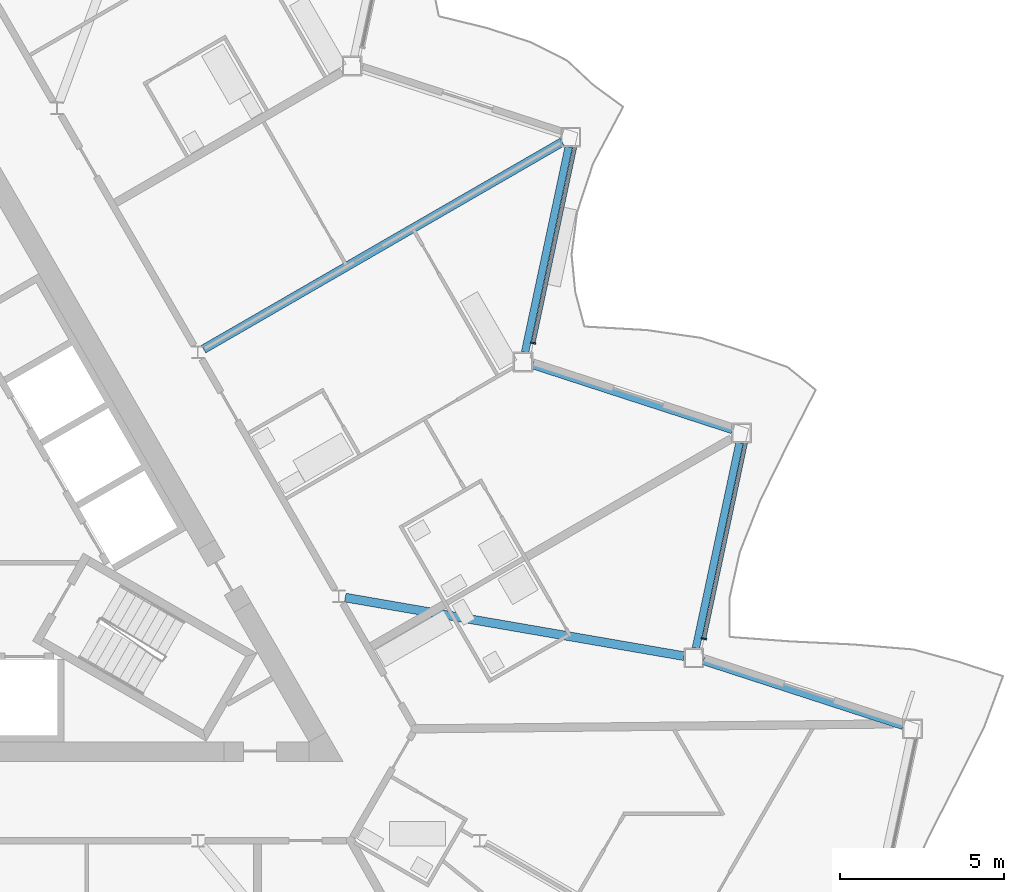
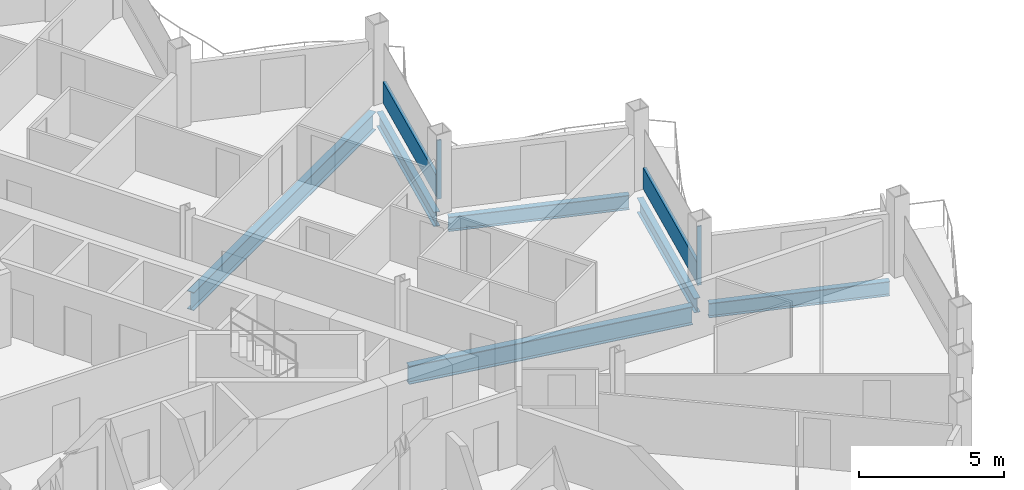
# One storey, part 9 of 27: 6 beams, 4 members, 2 elements without a shape of their own.
"""IFC4 building model written with IfcOpenShell, lengths in metres."""

import ifcopenshell
import ifcopenshell.guid

model = None  # the IFC model being written
_history = None  # IfcOwnerHistory: only IFC2X3 demands one
_inside = {}  # id of a spatial element -> (the spatial element, [elements in it])
_under = {}  # id of a project, library or spatial element -> (it, [spatial elements below it])
_declared = {}  # id of a project -> (the project, [libraries it declares])
_typed = {}  # id of a type object -> (the type object, [elements of that type])
_made_of = {}  # id of a material, layer set ... -> (it, [elements and type objects made of it])


def new_model(schema):
    """Start an empty IFC model of exactly this schema.

    Asked for "IFC4X3", IfcOpenShell would pick the latest addendum, in which some entities
    have other attributes; the version numbers below select the first issue.
    IFC2X3 requires an IfcOwnerHistory on every rooted entity: one is made here for all.
    """
    global model, _history
    if schema == "IFC4X3":
        model = ifcopenshell.file(schema_version=(4, 3, 0, 0))
    else:
        model = ifcopenshell.file(schema=schema)
    _inside.clear()
    _under.clear()
    _declared.clear()
    _typed.clear()
    _made_of.clear()
    _history = None
    if model.schema == "IFC2X3":
        org = make("IfcOrganization", Name="unknown")
        user = make(
            "IfcPersonAndOrganization",
            ThePerson=make("IfcPerson", FamilyName="unknown"),
            TheOrganization=org,
        )
        app = make(
            "IfcApplication",
            ApplicationDeveloper=org,
            Version="unknown",
            ApplicationFullName="unknown",
            ApplicationIdentifier="unknown",
        )
        _history = make(
            "IfcOwnerHistory",
            OwningUser=user,
            OwningApplication=app,
            ChangeAction="ADDED",
            CreationDate=0,
        )
    return model


def make(cls, **values):
    """One entity of the class cls with the attributes given. An attribute that is None is left unset."""
    return model.create_entity(
        cls, **{name: value for name, value in values.items() if value is not None}
    )


def rooted(cls, **values):
    """An entity with a GlobalId (a new one), such as an element, a storey or a relation."""
    return make(cls, GlobalId=ifcopenshell.guid.new(), OwnerHistory=_history, **values)


def si_unit(unit_type, name, prefix=None):
    """IfcSIUnit, for example si_unit("LENGTHUNIT", "METRE", prefix="MILLI")."""
    return make("IfcSIUnit", UnitType=unit_type, Prefix=prefix, Name=name)


def assignment(units):
    """IfcUnitAssignment: the units of a project."""
    return None if units is None else make("IfcUnitAssignment", Units=units)


def point(xyz):
    """IfcCartesianPoint."""
    return None if xyz is None else make("IfcCartesianPoint", Coordinates=xyz)


def direction(xyz):
    """IfcDirection."""
    return None if xyz is None else make("IfcDirection", DirectionRatios=xyz)


def frame(location, z_axis=None, x_axis=None):
    """IfcAxis2Placement3D, a coordinate frame: its origin and axes. An axis left out is left unset."""
    return make(
        "IfcAxis2Placement3D",
        Location=point(location),
        Axis=direction(z_axis),
        RefDirection=direction(x_axis),
    )


def frame_2d(location, x_axis=None):
    """IfcAxis2Placement2D, a coordinate frame in the plane: its origin and x axis."""
    return make(
        "IfcAxis2Placement2D", Location=point(location), RefDirection=direction(x_axis)
    )


def origin():
    """The frame at (0, 0, 0) with its axes left unset."""
    return frame((0.0, 0.0, 0.0))


def origin_2d():
    """The frame at (0, 0) in the plane with its x axis left unset."""
    return frame_2d((0.0, 0.0))


def place(relative_to, where):
    """IfcLocalPlacement: puts the frame where relative to a parent placement (None: the world)."""
    return make(
        "IfcLocalPlacement", PlacementRelTo=relative_to, RelativePlacement=where
    )


def context(
    kind, dimensions, precision=None, world=None, true_north=None, identifier=None
):
    """IfcGeometricRepresentationContext, for example the 3D "Model" context."""
    return make(
        "IfcGeometricRepresentationContext",
        ContextIdentifier=identifier,
        ContextType=kind,
        CoordinateSpaceDimension=dimensions,
        Precision=precision,
        WorldCoordinateSystem=world,
        TrueNorth=true_north,
    )


def subcontext(parent, identifier, kind, view, scale=None):
    """IfcGeometricRepresentationSubContext, for example "Body" below "Model"."""
    return make(
        "IfcGeometricRepresentationSubContext",
        ContextIdentifier=identifier,
        ContextType=kind,
        ParentContext=parent,
        TargetScale=scale,
        TargetView=view,
    )


def project(units=None, contexts=None):
    """IfcProject with its units and contexts."""
    return rooted(
        "IfcProject",
        Name="project",
        RepresentationContexts=contexts,
        UnitsInContext=assignment(units),
    )


def spatial(cls, under=None, at=None, **own):
    """A site, building, storey or space (cls), placed at a placement, below another one or the project."""
    s = rooted(cls, ObjectPlacement=at, **own)
    if under is not None:
        _under.setdefault(under.id(), (under, []))[1].append(s)
    return s


def profile(cls, at=None, kind="AREA", **sizes):
    """A parametric profile (cls). Its sizes go by their IFC names, for example OverallWidth=200.0."""
    return make(cls, ProfileType=kind, Position=at, **sizes)


def rectangle(**sizes):
    """IfcRectangleProfileDef."""
    return profile("IfcRectangleProfileDef", **sizes)


def i_section(**sizes):
    """IfcIShapeProfileDef."""
    return profile("IfcIShapeProfileDef", **sizes)


def extrude(swept, where, along, depth):
    """IfcExtrudedAreaSolid: the profile swept, set in the frame where, extruded along a direction by depth."""
    return make(
        "IfcExtrudedAreaSolid",
        SweptArea=swept,
        Position=where,
        ExtrudedDirection=direction(along),
        Depth=depth,
    )


def shape(context_of_items, identifier, shape_type, items):
    """IfcShapeRepresentation: the items that make up one representation, for example the "Body"."""
    return make(
        "IfcShapeRepresentation",
        ContextOfItems=context_of_items,
        RepresentationIdentifier=identifier,
        RepresentationType=shape_type,
        Items=items,
    )


def material(Name=None, Category=None):
    """IfcMaterial."""
    return make("IfcMaterial", Name=Name, Category=Category)


def layer(
    of_material, thickness, ventilated=None, Name=None, Category=None, Priority=None
):
    """IfcMaterialLayer: one layer of a wall or slab, of a material (None: an air gap)."""
    return make(
        "IfcMaterialLayer",
        Material=of_material,
        LayerThickness=thickness,
        IsVentilated=ventilated,
        Name=Name,
        Category=Category,
        Priority=Priority,
    )


def layer_set(layers, Name=None):
    """IfcMaterialLayerSet."""
    return make("IfcMaterialLayerSet", MaterialLayers=layers, LayerSetName=Name)


def material_profile(
    of_material, cross_section, Name=None, Category=None, Priority=None
):
    """IfcMaterialProfile: a cross section and its material."""
    return make(
        "IfcMaterialProfile",
        Name=Name,
        Material=of_material,
        Profile=cross_section,
        Priority=Priority,
        Category=Category,
    )


def profile_set(profiles, Name=None, composite=None):
    """IfcMaterialProfileSet."""
    return make(
        "IfcMaterialProfileSet",
        Name=Name,
        MaterialProfiles=profiles,
        CompositeProfile=composite,
    )


def made_of(thing, what):
    """Note that an element or type object is made of a material, layer set ...; save() writes the relation."""
    if what is not None:
        _made_of.setdefault(what.id(), (what, []))[1].append(thing)
    return thing


def type_object(cls, material=None, **own):
    """A type object (cls), such as IfcWallType, which elements share."""
    return made_of(rooted(cls, **own), material)


def element(
    cls,
    number,
    at=None,
    inside=None,
    cuts=None,
    type_object=None,
    material=None,
    context=None,
    identifier="Body",
    shape_type=None,
    held_by="IfcProductDefinitionShape",
    body=None,
    shapes=None,
    **own,
):
    """One element of the class cls, such as IfcWall. Its Tag is "e" and its number.

    at: its placement. inside: the storey or other place that contains it. cuts: it is an
    opening in that element (IfcRelVoidsElement). A single representation is given by context,
    identifier, shape_type and body (its items); several are given by shapes. held_by: the class
    of the entity that holds the representations. save() writes the other relations.
    """
    e = rooted(cls, Tag="e%d" % number, ObjectPlacement=at, **own)
    if body is not None:
        shapes = [shape(context, identifier, shape_type, body)]
    if shapes is not None:
        e.Representation = make(held_by, Representations=shapes)
    if inside is not None:
        _inside.setdefault(inside.id(), (inside, []))[1].append(e)
    if cuts is not None:
        rooted(
            "IfcRelVoidsElement", RelatingBuildingElement=cuts, RelatedOpeningElement=e
        )
    if type_object is not None:
        _typed.setdefault(type_object.id(), (type_object, []))[1].append(e)
    return made_of(e, material)


def aggregate(whole, parts):
    """IfcRelAggregates: a whole, such as a stair, and the parts it consists of."""
    return rooted("IfcRelAggregates", RelatingObject=whole, RelatedObjects=parts)


def save(model, path):
    """Write the relations noted so far, then the file.

    IfcRelAggregates (storeys below a building ...), IfcRelContainedInSpatialStructure (elements
    in a storey), IfcRelDefinesByType, IfcRelAssociatesMaterial and IfcRelDeclares: one each for
    every whole, place, type object, material and project.
    """
    for whole, parts in _under.values():
        aggregate(whole, parts)
    for where, things in _inside.values():
        rooted(
            "IfcRelContainedInSpatialStructure",
            RelatedElements=things,
            RelatingStructure=where,
        )
    for kind, things in _typed.values():
        rooted("IfcRelDefinesByType", RelatedObjects=things, RelatingType=kind)
    for what, things in _made_of.values():
        rooted("IfcRelAssociatesMaterial", RelatedObjects=things, RelatingMaterial=what)
    for by, libraries in _declared.values():
        rooted("IfcRelDeclares", RelatingContext=by, RelatedDefinitions=libraries)
    model.write(path)


model = new_model("IFC4")

# Units and contexts
model_context = context("Model", 3, precision=1e-05, world=origin(), true_north=direction((0.0, 1.0)))
body_context = subcontext(model_context, "Body", "Model", "MODEL_VIEW")
ifc_project = project(units=[si_unit("LENGTHUNIT", "METRE"), si_unit("AREAUNIT", "SQUARE_METRE"), si_unit("VOLUMEUNIT", "CUBIC_METRE"), si_unit("PLANEANGLEUNIT", "RADIAN"), si_unit("MASSUNIT", "GRAM", prefix="KILO")], contexts=[model_context])

# Site, building, storey
site_placement = place(None, origin())
site = spatial("IfcSite", under=ifc_project, at=site_placement, CompositionType="ELEMENT")
building_placement = place(site_placement, origin())
building = spatial("IfcBuilding", under=site, at=building_placement, Name="Cormorant Prow Tower", CompositionType="ELEMENT")
storey_placement = place(building_placement, frame((0.0, 0.0, 332.39990234375)))
storey = spatial("IfcBuildingStorey", under=building, at=storey_placement, Name="L74", CompositionType="ELEMENT", Elevation=332.39990234375)

# Beams
ifc_material_1 = material(Name="Structural steel ASTM A992 Gr 50", Category="steel")
ifc_material_profile_1 = material_profile(ifc_material_1, i_section(OverallWidth=0.267822265625, OverallDepth=0.77001953125, WebThickness=0.015625, FlangeThickness=0.025390625, at=origin_2d()), Name="W30x132")
ifc_profile_set_1 = profile_set([ifc_material_profile_1], Name="Structural steel ASTM A992 Gr 50")
beam_type_1 = type_object("IfcBeamType", Name="Radial floor beam W30x132", PredefinedType="BEAM", material=ifc_profile_set_1)
beam_1_placement = place(storey_placement, frame((13.0625, -2.510009765625, -0.684814453125), z_axis=(0.985379592304, -0.170373293304, 0.0), x_axis=(0.170373293304, 0.985379592304, 0.0)))
element("IfcBeam", 1, at=beam_1_placement, inside=storey, type_object=beam_type_1, Name="Radial floor beam FB3 10 L74", PredefinedType="BEAM", context=body_context, shape_type="SweptSolid", body=[
    extrude(i_section(OverallWidth=0.267822265625, OverallDepth=0.77001953125, WebThickness=0.015625, FlangeThickness=0.025390625, at=origin_2d()), origin(), (0.0, 0.0, 1.0), 10.465087890625),
])
beam_2_placement = place(storey_placement, frame((8.749755859375, 5.051513671875, -0.684814453125), z_axis=(0.866021086443, 0.50000747778, 0.0), x_axis=(-0.50000747778, 0.866021086443, 0.0)))
element("IfcBeam", 2, at=beam_2_placement, inside=storey, type_object=beam_type_1, Name="Radial floor beam FB3 11 L74", PredefinedType="BEAM", context=body_context, shape_type="SweptSolid", body=[
    extrude(i_section(OverallWidth=0.267822265625, OverallDepth=0.77001953125, WebThickness=0.015625, FlangeThickness=0.025390625, at=origin_2d()), origin(), (0.0, 0.0, 1.0), 12.604736328125),
])

# Curtain wall, member
ifc_material_2 = material(Name="Aluminium 6063-T6", Category="aluminium")
ifc_layer = layer(ifc_material_2, 0.159912109375)
ifc_layer_set = layer_set([ifc_layer], Name="Aluminium 6063-T6")
curtain_wall_type = type_object("IfcCurtainWallType", Name="Residential unitised curtain wall 160", PredefinedType="NOTDEFINED", material=ifc_layer_set)
curtain_wall_1_placement = place(storey_placement, origin())
curtain_wall_1 = element("IfcCurtainWall", 3, at=curtain_wall_1_placement, inside=storey, type_object=curtain_wall_type, Name="Residential curtain wall ENE02", PredefinedType="NOTDEFINED")
ifc_material_3 = material(Name="Aluminium 6063-T6", Category="aluminium")
ifc_material_profile_2 = material_profile(ifc_material_3, rectangle(XDim=0.159912109375, YDim=0.050048828125, at=origin_2d()), Name="Residential mullion 50x160")
ifc_profile_set_2 = profile_set([ifc_material_profile_2], Name="Aluminium 6063-T6")
member_type_1 = type_object("IfcMemberType", Name="Residential mullion 50x160", PredefinedType="MULLION", material=ifc_profile_set_2)
member_1_placement = place(storey_placement, frame((23.978759765625, -3.762451171875, 0.0), z_axis=(0.0, 0.0, 1.0), x_axis=(-0.978147592438, 0.207911729844, 0.0)))
member_1 = element("IfcMember", 4, at=member_1_placement, type_object=member_type_1, Name="Residential mullion ENE02", PredefinedType="MULLION", context=body_context, shape_type="SweptSolid", body=[
    extrude(rectangle(XDim=0.159912109375, YDim=0.050048828125, at=origin_2d()), origin(), (0.0, 0.0, 1.0), 2.488037109375),
])

curtain_wall_2_placement = place(storey_placement, origin())
curtain_wall_2 = element("IfcCurtainWall", 5, at=curtain_wall_2_placement, inside=storey, type_object=curtain_wall_type, Name="Residential curtain wall ENE04", PredefinedType="NOTDEFINED")
member_2_placement = place(storey_placement, frame((18.782470703125, 5.23779296875, 0.0), z_axis=(0.0, 0.0, 1.0), x_axis=(-0.978147592438, 0.207911729844, 0.0)))
member_2 = element("IfcMember", 6, at=member_2_placement, type_object=member_type_1, Name="Residential mullion ENE04", PredefinedType="MULLION", context=body_context, shape_type="SweptSolid", body=[
    extrude(rectangle(XDim=0.159912109375, YDim=0.050048828125, at=origin_2d()), origin(), (0.0, 0.0, 1.0), 2.488037109375),
])

# Member
ifc_material_4 = material(Name="Terracotta", Category="masonry")
ifc_material_profile_3 = material_profile(ifc_material_4, rectangle(XDim=0.1201171875, YDim=0.89990234375, at=origin_2d()), Name="Residential terracotta spandrel rail 120x900")
ifc_profile_set_3 = profile_set([ifc_material_profile_3], Name="Terracotta")
member_type_2 = type_object("IfcMemberType", Name="Residential terracotta spandrel rail 120x900", PredefinedType="USERDEFINED", material=ifc_profile_set_3)
member_3_placement = place(storey_placement, frame((23.98388671875, -3.738037109375, 0.4501953125), z_axis=(0.207912112226, 0.978147511161, 0.0), x_axis=(-0.978147511161, 0.207912112226, 0.0)))
member_3 = element("IfcMember", 7, at=member_3_placement, type_object=member_type_2, Name="Residential spandrel rail ENE02", ObjectType="TRANSOM", PredefinedType="USERDEFINED", context=body_context, shape_type="SweptSolid", body=[
    extrude(rectangle(XDim=0.1201171875, YDim=0.89990234375, at=origin_2d()), origin(), (0.0, 0.0, 1.0), 6.074462890625),
])

aggregate(curtain_wall_1, [member_1, member_3])

member_4_placement = place(storey_placement, frame((18.78759765625, 5.26220703125, 0.4501953125), z_axis=(0.207912112226, 0.978147511161, 0.0), x_axis=(-0.978147511161, 0.207912112226, 0.0)))
member_4 = element("IfcMember", 8, at=member_4_placement, type_object=member_type_2, Name="Residential spandrel rail ENE04", ObjectType="TRANSOM", PredefinedType="USERDEFINED", context=body_context, shape_type="SweptSolid", body=[
    extrude(rectangle(XDim=0.1201171875, YDim=0.89990234375, at=origin_2d()), origin(), (0.0, 0.0, 1.0), 6.074462890625),
])

aggregate(curtain_wall_2, [member_2, member_4])

# Beams
ifc_material_5 = material(Name="Structural steel ASTM A992 Gr 50", Category="steel")
ifc_material_profile_4 = material_profile(ifc_material_5, i_section(OverallWidth=0.22900390625, OverallDepth=0.612060546875, WebThickness=0.011962890625, FlangeThickness=0.01953125, at=origin_2d()), Name="W24x84")
ifc_profile_set_4 = profile_set([ifc_material_profile_4], Name="Structural steel ASTM A992 Gr 50")
beam_type_2 = type_object("IfcBeamType", Name="Spandrel beam W24x84", PredefinedType="SPANDREL", material=ifc_profile_set_4)
beam_3_placement = place(storey_placement, frame((30.038330078125, -6.413330078125, -0.60595703125), z_axis=(-0.951064359156, 0.308992855489, 0.0), x_axis=(-0.308992855489, -0.951064359156, 0.0)))
element("IfcBeam", 9, at=beam_3_placement, inside=storey, type_object=beam_type_2, Name="Spandrel beam SB3 ENE01-ENE02 L74", PredefinedType="SPANDREL", context=body_context, shape_type="SweptSolid", body=[
    extrude(i_section(OverallWidth=0.22900390625, OverallDepth=0.612060546875, WebThickness=0.011962890625, FlangeThickness=0.01953125, at=origin_2d()), origin(), (0.0, 0.0, 1.0), 6.39599609375),
])
beam_4_placement = place(storey_placement, frame((23.732421875, -4.05078125, -0.60595703125), z_axis=(0.20791262393, 0.978147402394, 0.0), x_axis=(-0.978147402394, 0.20791262393, 0.0)))
element("IfcBeam", 10, at=beam_4_placement, inside=storey, type_object=beam_type_2, Name="Spandrel beam SB3 ENE02-ENE03 L74", PredefinedType="SPANDREL", context=body_context, shape_type="SweptSolid", body=[
    extrude(i_section(OverallWidth=0.22900390625, OverallDepth=0.612060546875, WebThickness=0.011962890625, FlangeThickness=0.01953125, at=origin_2d()), origin(), (0.0, 0.0, 1.0), 6.396240234375),
])
beam_5_placement = place(storey_placement, frame((24.83935546875, 2.591796875, -0.60595703125), z_axis=(-0.951064359156, 0.308992855489, 0.0), x_axis=(-0.308992855489, -0.951064359156, 0.0)))
element("IfcBeam", 11, at=beam_5_placement, inside=storey, type_object=beam_type_2, Name="Spandrel beam SB3 ENE03-ENE04 L74", PredefinedType="SPANDREL", context=body_context, shape_type="SweptSolid", body=[
    extrude(i_section(OverallWidth=0.22900390625, OverallDepth=0.612060546875, WebThickness=0.011962890625, FlangeThickness=0.01953125, at=origin_2d()), origin(), (0.0, 0.0, 1.0), 6.39599609375),
])
beam_6_placement = place(storey_placement, frame((18.533447265625, 4.954345703125, -0.60595703125), z_axis=(0.20791262393, 0.978147402394, 0.0), x_axis=(-0.978147402394, 0.20791262393, 0.0)))
element("IfcBeam", 12, at=beam_6_placement, inside=storey, type_object=beam_type_2, Name="Spandrel beam SB3 ENE04-ENE05 L74", PredefinedType="SPANDREL", context=body_context, shape_type="SweptSolid", body=[
    extrude(i_section(OverallWidth=0.22900390625, OverallDepth=0.612060546875, WebThickness=0.011962890625, FlangeThickness=0.01953125, at=origin_2d()), origin(), (0.0, 0.0, 1.0), 6.396240234375),
])

save(model, "model.ifc")
